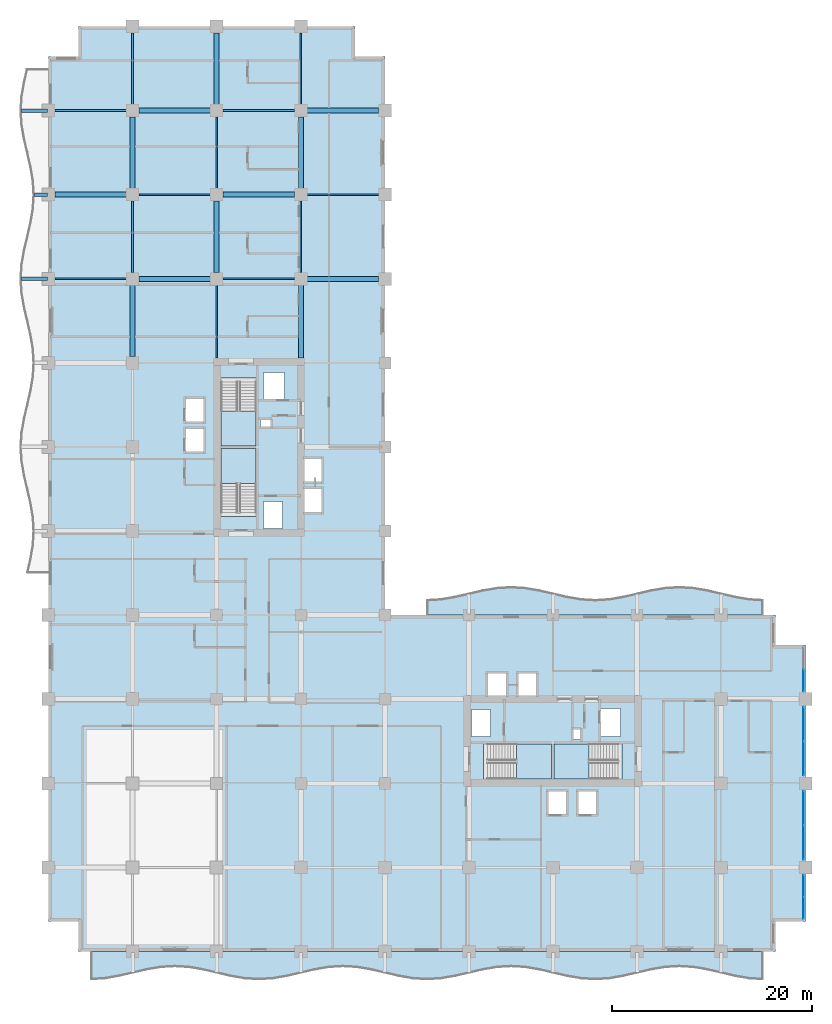
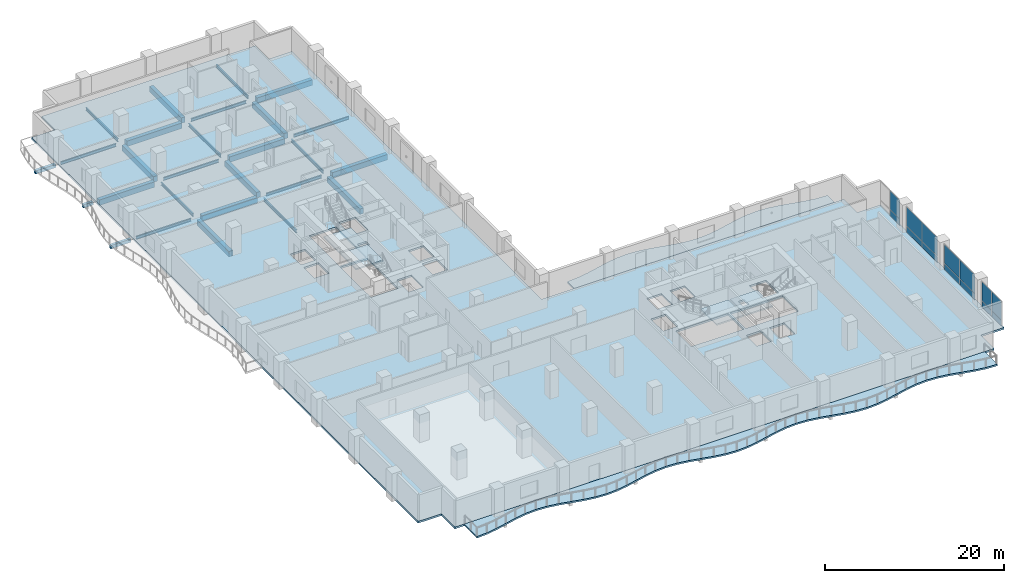
# One storey, part 7 of 24: 27 beams, 14 plates, 7 slabs, 8 elements without a shape of their own.
"""IFC4 building model written with IfcOpenShell, lengths in metres."""

from ifc_helpers import new_model, si_unit, direction, frame, origin, origin_2d, place, context, subcontext, project, spatial, polyline, rectangle, i_section, outline, extrude, material, layer, layer_set, material_profile, profile_set, type_object, element, aggregate, save


model = new_model("IFC4")

# Units and contexts
model_context = context("Model", 3, precision=1e-05, world=origin(), true_north=direction((0.0, 1.0)))
body_context = subcontext(model_context, "Body", "Model", "MODEL_VIEW")
ifc_project = project(units=[si_unit("LENGTHUNIT", "METRE"), si_unit("AREAUNIT", "SQUARE_METRE"), si_unit("VOLUMEUNIT", "CUBIC_METRE"), si_unit("PLANEANGLEUNIT", "RADIAN"), si_unit("MASSUNIT", "GRAM", prefix="KILO")], contexts=[model_context])

# Site, building, storey
site_placement = place(None, origin())
site = spatial("IfcSite", under=ifc_project, at=site_placement, CompositionType="ELEMENT")
building_placement = place(site_placement, origin())
building = spatial("IfcBuilding", under=site, at=building_placement, Name="Koriwani Terraces Tower", CompositionType="ELEMENT")
storey_placement = place(building_placement, frame((0.0, 0.0, 149.39990234375)))
storey = spatial("IfcBuildingStorey", under=building, at=storey_placement, Name="L36", CompositionType="ELEMENT", Elevation=149.39990234375)

# Beams
ifc_material_1 = material(Name="Concrete C40/50", Category="concrete")
ifc_material_profile_1 = material_profile(ifc_material_1, rectangle(XDim=0.35009765625, YDim=0.449951171875, at=origin_2d()), Name="Concrete C40/50", Category="LoadBearing")
ifc_profile_set_1 = profile_set([ifc_material_profile_1], Name="Concrete C40/50")
beam_type_1 = type_object("IfcBeamType", Name="BEAM_RC_BALCONY_RIB_350X450", PredefinedType="JOIST", material=ifc_profile_set_1)
beam_1_placement = place(storey_placement, frame((-2.699951171875, 67.199951171875, -0.474853515625), z_axis=(1.0, 0.0, 0.0), x_axis=(0.0, 1.0, 0.0)))
element("IfcBeam", 1, at=beam_1_placement, inside=storey, type_object=beam_type_1, Name="L36 Balcony Bracket Rib W-4", PredefinedType="JOIST", context=body_context, shape_type="SweptSolid", body=[
    extrude(rectangle(XDim=0.35009765625, YDim=0.449951171875, at=origin_2d()), origin(), (0.0, 0.0, 1.0), 2.599853515625),
])
beam_2_placement = place(storey_placement, frame((-1.39990234375, 75.60009765625, -0.474853515625), z_axis=(1.0, 0.0, 0.0), x_axis=(0.0, 1.0, 0.0)))
element("IfcBeam", 2, at=beam_2_placement, inside=storey, type_object=beam_type_1, Name="L36 Balcony Bracket Rib W-5", PredefinedType="JOIST", context=body_context, shape_type="SweptSolid", body=[
    extrude(rectangle(XDim=0.35009765625, YDim=0.449951171875, at=origin_2d()), origin(), (0.0, 0.0, 1.0), 1.2998046875),
])
beam_3_placement = place(storey_placement, frame((-2.699951171875, 84.0, -0.474853515625), z_axis=(1.0, 0.0, 0.0), x_axis=(0.0, 1.0, 0.0)))
element("IfcBeam", 3, at=beam_3_placement, inside=storey, type_object=beam_type_1, Name="L36 Balcony Bracket Rib W-6", PredefinedType="JOIST", context=body_context, shape_type="SweptSolid", body=[
    extrude(rectangle(XDim=0.35009765625, YDim=0.449951171875, at=origin_2d()), origin(), (0.0, 0.0, 1.0), 2.599853515625),
])
ifc_material_2 = material(Name="Concrete C50/60", Category="concrete")
ifc_material_profile_2 = material_profile(ifc_material_2, rectangle(XDim=0.5, YDim=0.75, at=origin_2d()), Name="Concrete C50/60", Category="LoadBearing")
ifc_profile_set_2 = profile_set([ifc_material_profile_2], Name="Concrete C50/60")
beam_type_2 = type_object("IfcBeamType", Name="BEAM_RC_GRID_500X750", PredefinedType="BEAM", material=ifc_profile_set_2)
for number, where, z_axis, x_axis, name in (
    (4, (9.030029296875, 67.199951171875, -0.625), (1.0, 0.0, 0.0), (0.0, 1.0, 0.0), "L36 Grid Beam I (8.4-16.8m)"),
    (5, (25.830078125, 67.199951171875, -0.625), (1.0, 0.0, 0.0), (0.0, 1.0, 0.0), "L36 Grid Beam I (25.2-33.6m)"),
):
    element("IfcBeam", number, at=place(storey_placement, frame(where, z_axis=z_axis, x_axis=x_axis)), inside=storey, type_object=beam_type_2, Name=name, PredefinedType="BEAM", context=body_context, shape_type="SweptSolid", body=[
        extrude(rectangle(XDim=0.5, YDim=0.75, at=origin_2d()), origin(), (0.0, 0.0, 1.0), 7.139892578125),
    ])
for number, where, z_axis, x_axis, name in (
    (6, (0.6298828125, 75.60009765625, -0.625), (1.0, 0.0, 0.0), (0.0, 1.0, 0.0), "L36 Grid Beam J (0.0-8.4m)"),
    (7, (17.429931640625, 75.60009765625, -0.625), (1.0, 0.0, 0.0), (0.0, 1.0, 0.0), "L36 Grid Beam J (16.8-25.2m)"),
):
    element("IfcBeam", number, at=place(storey_placement, frame(where, z_axis=z_axis, x_axis=x_axis)), inside=storey, type_object=beam_type_2, Name=name, PredefinedType="BEAM", context=body_context, shape_type="SweptSolid", body=[
        extrude(rectangle(XDim=0.5, YDim=0.75, at=origin_2d()), origin(), (0.0, 0.0, 1.0), 7.14013671875),
    ])
for number, where, z_axis, x_axis, name in (
    (8, (9.030029296875, 84.0, -0.625), (1.0, 0.0, 0.0), (0.0, 1.0, 0.0), "L36 Grid Beam K (8.4-16.8m)"),
    (9, (25.830078125, 84.0, -0.625), (1.0, 0.0, 0.0), (0.0, 1.0, 0.0), "L36 Grid Beam K (25.2-33.6m)"),
):
    element("IfcBeam", number, at=place(storey_placement, frame(where, z_axis=z_axis, x_axis=x_axis)), inside=storey, type_object=beam_type_2, Name=name, PredefinedType="BEAM", context=body_context, shape_type="SweptSolid", body=[
        extrude(rectangle(XDim=0.5, YDim=0.75, at=origin_2d()), origin(), (0.0, 0.0, 1.0), 7.139892578125),
    ])
for number, where, z_axis, x_axis, name in (
    (10, (8.39990234375, 59.429931640625, -0.625), (0.0, 1.0, 0.0), (-1.0, 0.0, 0.0), "L36 Grid Beam 2 (58.8-67.2m)"),
    (11, (8.39990234375, 76.22998046875, -0.625), (0.0, 1.0, 0.0), (-1.0, 0.0, 0.0), "L36 Grid Beam 2 (75.6-84.0m)"),
):
    element("IfcBeam", number, at=place(storey_placement, frame(where, z_axis=z_axis, x_axis=x_axis)), inside=storey, type_object=beam_type_2, Name=name, PredefinedType="BEAM", context=body_context, shape_type="SweptSolid", body=[
        extrude(rectangle(XDim=0.5, YDim=0.75, at=origin_2d()), origin(), (0.0, 0.0, 1.0), 7.14013671875),
    ])
beam_4_placement = place(storey_placement, frame((16.800048828125, 67.830078125, -0.625), z_axis=(0.0, 1.0, 0.0), x_axis=(-1.0, 0.0, 0.0)))
element("IfcBeam", 12, at=beam_4_placement, inside=storey, type_object=beam_type_2, Name="L36 Grid Beam 3 (67.2-75.6m)", PredefinedType="BEAM", context=body_context, shape_type="SweptSolid", body=[
    extrude(rectangle(XDim=0.5, YDim=0.75, at=origin_2d()), origin(), (0.0, 0.0, 1.0), 7.139892578125),
])
beam_5_placement = place(storey_placement, frame((16.800048828125, 84.6298828125, -0.625), z_axis=(0.0, 1.0, 0.0), x_axis=(-1.0, 0.0, 0.0)))
element("IfcBeam", 13, at=beam_5_placement, inside=storey, type_object=beam_type_2, Name="L36 Grid Beam 3 (84.0-92.4m)", PredefinedType="BEAM", context=body_context, shape_type="SweptSolid", body=[
    extrude(rectangle(XDim=0.5, YDim=0.75, at=origin_2d()), origin(), (0.0, 0.0, 1.0), 7.14013671875),
])
beam_6_placement = place(storey_placement, frame((25.199951171875, 59.280029296875, -0.625), z_axis=(0.0, 1.0, 0.0), x_axis=(-1.0, 0.0, 0.0)))
element("IfcBeam", 14, at=beam_6_placement, inside=storey, type_object=beam_type_2, Name="L36 Grid Beam 4 (58.8-67.2m)", PredefinedType="BEAM", context=body_context, shape_type="SweptSolid", body=[
    extrude(rectangle(XDim=0.5, YDim=0.75, at=origin_2d()), origin(), (0.0, 0.0, 1.0), 7.2900390625),
])
beam_7_placement = place(storey_placement, frame((25.199951171875, 76.22998046875, -0.625), z_axis=(0.0, 1.0, 0.0), x_axis=(-1.0, 0.0, 0.0)))
element("IfcBeam", 15, at=beam_7_placement, inside=storey, type_object=beam_type_2, Name="L36 Grid Beam 4 (75.6-84.0m)", PredefinedType="BEAM", context=body_context, shape_type="SweptSolid", body=[
    extrude(rectangle(XDim=0.5, YDim=0.75, at=origin_2d()), origin(), (0.0, 0.0, 1.0), 7.14013671875),
])
ifc_material_3 = material(Name="Steel ASTM A572 Grade 50", Category="steel")
ifc_material_profile_3 = material_profile(ifc_material_3, i_section(OverallWidth=0.180908203125, OverallDepth=0.4169921875, WebThickness=0.010986328125, FlangeThickness=0.018310546875, at=origin_2d()), Name="Steel ASTM A572 Grade 50", Category="LoadBearing")
ifc_profile_set_3 = profile_set([ifc_material_profile_3], Name="Steel ASTM A572 Grade 50")
beam_type_3 = type_object("IfcBeamType", Name="STEEL_BEAM_W410X85", PredefinedType="JOIST", material=ifc_profile_set_3)
for number, where, z_axis, x_axis, name in (
    (16, (0.6298828125, 67.199951171875, -0.45849609375), (1.0, 0.0, 0.0), (0.0, 1.0, 0.0), "L36 Grid Beam I (0.0-8.4m)"),
    (17, (17.429931640625, 67.199951171875, -0.45849609375), (1.0, 0.0, 0.0), (0.0, 1.0, 0.0), "L36 Grid Beam I (16.8-25.2m)"),
):
    element("IfcBeam", number, at=place(storey_placement, frame(where, z_axis=z_axis, x_axis=x_axis)), inside=storey, type_object=beam_type_3, Name=name, PredefinedType="JOIST", context=body_context, shape_type="SweptSolid", body=[
        extrude(i_section(OverallWidth=0.180908203125, OverallDepth=0.4169921875, WebThickness=0.010986328125, FlangeThickness=0.018310546875, at=origin_2d()), origin(), (0.0, 0.0, 1.0), 7.14013671875),
    ])
for number, where, z_axis, x_axis, name in (
    (18, (9.030029296875, 75.60009765625, -0.45849609375), (1.0, 0.0, 0.0), (0.0, 1.0, 0.0), "L36 Grid Beam J (8.4-16.8m)"),
    (19, (25.830078125, 75.60009765625, -0.45849609375), (1.0, 0.0, 0.0), (0.0, 1.0, 0.0), "L36 Grid Beam J (25.2-33.6m)"),
):
    element("IfcBeam", number, at=place(storey_placement, frame(where, z_axis=z_axis, x_axis=x_axis)), inside=storey, type_object=beam_type_3, Name=name, PredefinedType="JOIST", context=body_context, shape_type="SweptSolid", body=[
        extrude(i_section(OverallWidth=0.180908203125, OverallDepth=0.4169921875, WebThickness=0.010986328125, FlangeThickness=0.018310546875, at=origin_2d()), origin(), (0.0, 0.0, 1.0), 7.139892578125),
    ])
for number, where, z_axis, x_axis, name in (
    (20, (0.6298828125, 84.0, -0.45849609375), (1.0, 0.0, 0.0), (0.0, 1.0, 0.0), "L36 Grid Beam K (0.0-8.4m)"),
    (21, (17.429931640625, 84.0, -0.45849609375), (1.0, 0.0, 0.0), (0.0, 1.0, 0.0), "L36 Grid Beam K (16.8-25.2m)"),
):
    element("IfcBeam", number, at=place(storey_placement, frame(where, z_axis=z_axis, x_axis=x_axis)), inside=storey, type_object=beam_type_3, Name=name, PredefinedType="JOIST", context=body_context, shape_type="SweptSolid", body=[
        extrude(i_section(OverallWidth=0.180908203125, OverallDepth=0.4169921875, WebThickness=0.010986328125, FlangeThickness=0.018310546875, at=origin_2d()), origin(), (0.0, 0.0, 1.0), 7.14013671875),
    ])
beam_8_placement = place(storey_placement, frame((8.39990234375, 67.830078125, -0.45849609375), z_axis=(0.0, 1.0, 0.0), x_axis=(-1.0, 0.0, 0.0)))
element("IfcBeam", 22, at=beam_8_placement, inside=storey, type_object=beam_type_3, Name="L36 Grid Beam 2 (67.2-75.6m)", PredefinedType="JOIST", context=body_context, shape_type="SweptSolid", body=[
    extrude(i_section(OverallWidth=0.180908203125, OverallDepth=0.4169921875, WebThickness=0.010986328125, FlangeThickness=0.018310546875, at=origin_2d()), origin(), (0.0, 0.0, 1.0), 7.139892578125),
])
beam_9_placement = place(storey_placement, frame((8.39990234375, 84.6298828125, -0.45849609375), z_axis=(0.0, 1.0, 0.0), x_axis=(-1.0, 0.0, 0.0)))
element("IfcBeam", 23, at=beam_9_placement, inside=storey, type_object=beam_type_3, Name="L36 Grid Beam 2 (84.0-92.4m)", PredefinedType="JOIST", context=body_context, shape_type="SweptSolid", body=[
    extrude(i_section(OverallWidth=0.180908203125, OverallDepth=0.4169921875, WebThickness=0.010986328125, FlangeThickness=0.018310546875, at=origin_2d()), origin(), (0.0, 0.0, 1.0), 7.14013671875),
])
beam_10_placement = place(storey_placement, frame((16.800048828125, 59.280029296875, -0.45849609375), z_axis=(0.0, 1.0, 0.0), x_axis=(-1.0, 0.0, 0.0)))
element("IfcBeam", 24, at=beam_10_placement, inside=storey, type_object=beam_type_3, Name="L36 Grid Beam 3 (58.8-67.2m)", PredefinedType="JOIST", context=body_context, shape_type="SweptSolid", body=[
    extrude(i_section(OverallWidth=0.180908203125, OverallDepth=0.4169921875, WebThickness=0.010986328125, FlangeThickness=0.018310546875, at=origin_2d()), origin(), (0.0, 0.0, 1.0), 7.2900390625),
])
beam_11_placement = place(storey_placement, frame((16.800048828125, 76.22998046875, -0.45849609375), z_axis=(0.0, 1.0, 0.0), x_axis=(-1.0, 0.0, 0.0)))
element("IfcBeam", 25, at=beam_11_placement, inside=storey, type_object=beam_type_3, Name="L36 Grid Beam 3 (75.6-84.0m)", PredefinedType="JOIST", context=body_context, shape_type="SweptSolid", body=[
    extrude(i_section(OverallWidth=0.180908203125, OverallDepth=0.4169921875, WebThickness=0.010986328125, FlangeThickness=0.018310546875, at=origin_2d()), origin(), (0.0, 0.0, 1.0), 7.14013671875),
])
beam_12_placement = place(storey_placement, frame((25.199951171875, 67.830078125, -0.45849609375), z_axis=(0.0, 1.0, 0.0), x_axis=(-1.0, 0.0, 0.0)))
element("IfcBeam", 26, at=beam_12_placement, inside=storey, type_object=beam_type_3, Name="L36 Grid Beam 4 (67.2-75.6m)", PredefinedType="JOIST", context=body_context, shape_type="SweptSolid", body=[
    extrude(i_section(OverallWidth=0.180908203125, OverallDepth=0.4169921875, WebThickness=0.010986328125, FlangeThickness=0.018310546875, at=origin_2d()), origin(), (0.0, 0.0, 1.0), 7.139892578125),
])
beam_13_placement = place(storey_placement, frame((25.199951171875, 84.6298828125, -0.45849609375), z_axis=(0.0, 1.0, 0.0), x_axis=(-1.0, 0.0, 0.0)))
element("IfcBeam", 27, at=beam_13_placement, inside=storey, type_object=beam_type_3, Name="L36 Grid Beam 4 (84.0-92.4m)", PredefinedType="JOIST", context=body_context, shape_type="SweptSolid", body=[
    extrude(i_section(OverallWidth=0.180908203125, OverallDepth=0.4169921875, WebThickness=0.010986328125, FlangeThickness=0.018310546875, at=origin_2d()), origin(), (0.0, 0.0, 1.0), 7.14013671875),
])

# Curtain wall, plates
ifc_material_4 = material(Name="Anodised Bronze Aluminium", Category="aluminium")
ifc_layer_1 = layer(ifc_material_4, 0.179931640625, Name="Anodised Bronze Aluminium")
ifc_layer_set_1 = layer_set([ifc_layer_1], Name="Anodised Bronze Aluminium")
curtain_wall_type = type_object("IfcCurtainWallType", Name="CW_HOTEL_ZONE2", PredefinedType="NOTDEFINED", material=ifc_layer_set_1)
curtain_wall_1_placement = place(storey_placement, origin())
curtain_wall_1 = element("IfcCurtainWall", 28, at=curtain_wall_1_placement, inside=storey, type_object=curtain_wall_type, Name="L36 Unitised Curtain Wall (E_TIP) Bay 1", PredefinedType="NOTDEFINED")
ifc_material_5 = material(Name="Tempered Laminated Low-E Glass", Category="glass")
ifc_layer_2 = layer(ifc_material_5, 0.028076171875, Name="Tempered Laminated Low-E Glass")
ifc_layer_set_2 = layer_set([ifc_layer_2], Name="Tempered Laminated Low-E Glass")
plate_type = type_object("IfcPlateType", Name="CW_PANEL_VISION_28", PredefinedType="CURTAIN_PANEL", material=ifc_layer_set_2)
plate_1_placement = place(storey_placement, frame((75.425048828125, 27.0576171875, 0.06494140625), z_axis=(0.0, 0.0, 1.0), x_axis=(0.0, -1.0, 0.0)))
plate_1 = element("IfcPlate", 29, at=plate_1_placement, type_object=plate_type, Name="CW-Z2 panel 2.1", PredefinedType="CURTAIN_PANEL", context=body_context, shape_type="SweptSolid", body=[
    extrude(rectangle(XDim=2.14501953125, YDim=0.028076171875, at=origin_2d()), origin(), (0.0, 0.0, 1.0), 0.802490234375),
])
plate_2_placement = place(storey_placement, frame((75.425048828125, 27.0576171875, 0.9326171875), z_axis=(0.0, 0.0, 1.0), x_axis=(0.0, -1.0, 0.0)))
plate_2 = element("IfcPlate", 30, at=plate_2_placement, type_object=plate_type, Name="CW-Z2 panel 2.2", PredefinedType="CURTAIN_PANEL", context=body_context, shape_type="SweptSolid", body=[
    extrude(rectangle(XDim=2.14501953125, YDim=0.028076171875, at=origin_2d()), origin(), (0.0, 0.0, 1.0), 2.552490234375),
])
aggregate(curtain_wall_1, [plate_1, plate_2])

curtain_wall_2_placement = place(storey_placement, origin())
curtain_wall_2 = element("IfcCurtainWall", 31, at=curtain_wall_2_placement, inside=storey, type_object=curtain_wall_type, Name="L36 Unitised Curtain Wall (E_TIP) Bay 2", PredefinedType="NOTDEFINED")
plate_3_placement = place(storey_placement, frame((75.425048828125, 22.726318359375, 0.06494140625), z_axis=(0.0, 0.0, 1.0), x_axis=(0.0, -1.0, 0.0)))
plate_3 = element("IfcPlate", 32, at=plate_3_placement, type_object=plate_type, Name="CW-Z2 panel 1.1", PredefinedType="CURTAIN_PANEL", context=body_context, shape_type="SweptSolid", body=[
    extrude(rectangle(XDim=3.37744140625, YDim=0.028076171875, at=origin_2d()), origin(), (0.0, 0.0, 1.0), 0.802490234375),
])
plate_4_placement = place(storey_placement, frame((75.425048828125, 22.726318359375, 0.9326171875), z_axis=(0.0, 0.0, 1.0), x_axis=(0.0, -1.0, 0.0)))
plate_4 = element("IfcPlate", 33, at=plate_4_placement, type_object=plate_type, Name="CW-Z2 panel 1.2", PredefinedType="CURTAIN_PANEL", context=body_context, shape_type="SweptSolid", body=[
    extrude(rectangle(XDim=3.37744140625, YDim=0.028076171875, at=origin_2d()), origin(), (0.0, 0.0, 1.0), 2.552490234375),
])
plate_5_placement = place(storey_placement, frame((75.425048828125, 19.273681640625, 0.06494140625), z_axis=(0.0, 0.0, 1.0), x_axis=(0.0, -1.0, 0.0)))
plate_5 = element("IfcPlate", 34, at=plate_5_placement, type_object=plate_type, Name="CW-Z2 panel 2.1", PredefinedType="CURTAIN_PANEL", context=body_context, shape_type="SweptSolid", body=[
    extrude(rectangle(XDim=3.37744140625, YDim=0.028076171875, at=origin_2d()), origin(), (0.0, 0.0, 1.0), 0.802490234375),
])
plate_6_placement = place(storey_placement, frame((75.425048828125, 19.273681640625, 0.9326171875), z_axis=(0.0, 0.0, 1.0), x_axis=(0.0, -1.0, 0.0)))
plate_6 = element("IfcPlate", 35, at=plate_6_placement, type_object=plate_type, Name="CW-Z2 panel 2.2", PredefinedType="CURTAIN_PANEL", context=body_context, shape_type="SweptSolid", body=[
    extrude(rectangle(XDim=3.37744140625, YDim=0.028076171875, at=origin_2d()), origin(), (0.0, 0.0, 1.0), 2.552490234375),
])
aggregate(curtain_wall_2, [plate_3, plate_4, plate_5, plate_6])

curtain_wall_3_placement = place(storey_placement, origin())
curtain_wall_3 = element("IfcCurtainWall", 36, at=curtain_wall_3_placement, inside=storey, type_object=curtain_wall_type, Name="L36 Unitised Curtain Wall (E_TIP) Bay 3", PredefinedType="NOTDEFINED")
plate_7_placement = place(storey_placement, frame((75.425048828125, 14.326171875, 0.06494140625), z_axis=(0.0, 0.0, 1.0), x_axis=(0.0, -1.0, 0.0)))
plate_7 = element("IfcPlate", 37, at=plate_7_placement, type_object=plate_type, Name="CW-Z2 panel 1.1", PredefinedType="CURTAIN_PANEL", context=body_context, shape_type="SweptSolid", body=[
    extrude(rectangle(XDim=3.37744140625, YDim=0.028076171875, at=origin_2d()), origin(), (0.0, 0.0, 1.0), 0.802490234375),
])
plate_8_placement = place(storey_placement, frame((75.425048828125, 14.326171875, 0.9326171875), z_axis=(0.0, 0.0, 1.0), x_axis=(0.0, -1.0, 0.0)))
plate_8 = element("IfcPlate", 38, at=plate_8_placement, type_object=plate_type, Name="CW-Z2 panel 1.2", PredefinedType="CURTAIN_PANEL", context=body_context, shape_type="SweptSolid", body=[
    extrude(rectangle(XDim=3.37744140625, YDim=0.028076171875, at=origin_2d()), origin(), (0.0, 0.0, 1.0), 2.552490234375),
])
plate_9_placement = place(storey_placement, frame((75.425048828125, 10.873779296875, 0.06494140625), z_axis=(0.0, 0.0, 1.0), x_axis=(0.0, -1.0, 0.0)))
plate_9 = element("IfcPlate", 39, at=plate_9_placement, type_object=plate_type, Name="CW-Z2 panel 2.1", PredefinedType="CURTAIN_PANEL", context=body_context, shape_type="SweptSolid", body=[
    extrude(rectangle(XDim=3.37744140625, YDim=0.028076171875, at=origin_2d()), origin(), (0.0, 0.0, 1.0), 0.802490234375),
])
plate_10_placement = place(storey_placement, frame((75.425048828125, 10.873779296875, 0.9326171875), z_axis=(0.0, 0.0, 1.0), x_axis=(0.0, -1.0, 0.0)))
plate_10 = element("IfcPlate", 40, at=plate_10_placement, type_object=plate_type, Name="CW-Z2 panel 2.2", PredefinedType="CURTAIN_PANEL", context=body_context, shape_type="SweptSolid", body=[
    extrude(rectangle(XDim=3.37744140625, YDim=0.028076171875, at=origin_2d()), origin(), (0.0, 0.0, 1.0), 2.552490234375),
])
aggregate(curtain_wall_3, [plate_7, plate_8, plate_9, plate_10])

curtain_wall_4_placement = place(storey_placement, origin())
curtain_wall_4 = element("IfcCurtainWall", 41, at=curtain_wall_4_placement, inside=storey, type_object=curtain_wall_type, Name="L36 Unitised Curtain Wall (E_TIP) Bay 4", PredefinedType="NOTDEFINED")
plate_11_placement = place(storey_placement, frame((75.425048828125, 6.54248046875, 0.06494140625), z_axis=(0.0, 0.0, 1.0), x_axis=(0.0, -1.0, 0.0)))
plate_11 = element("IfcPlate", 42, at=plate_11_placement, type_object=plate_type, Name="CW-Z2 panel 1.1", PredefinedType="CURTAIN_PANEL", context=body_context, shape_type="SweptSolid", body=[
    extrude(rectangle(XDim=2.14501953125, YDim=0.028076171875, at=origin_2d()), origin(), (0.0, 0.0, 1.0), 0.802490234375),
])
plate_12_placement = place(storey_placement, frame((75.425048828125, 6.54248046875, 0.9326171875), z_axis=(0.0, 0.0, 1.0), x_axis=(0.0, -1.0, 0.0)))
plate_12 = element("IfcPlate", 43, at=plate_12_placement, type_object=plate_type, Name="CW-Z2 panel 1.2", PredefinedType="CURTAIN_PANEL", context=body_context, shape_type="SweptSolid", body=[
    extrude(rectangle(XDim=2.14501953125, YDim=0.028076171875, at=origin_2d()), origin(), (0.0, 0.0, 1.0), 2.552490234375),
])
plate_13_placement = place(storey_placement, frame((75.425048828125, 4.322509765625, 0.06494140625), z_axis=(0.0, 0.0, 1.0), x_axis=(0.0, -1.0, 0.0)))
plate_13 = element("IfcPlate", 44, at=plate_13_placement, type_object=plate_type, Name="CW-Z2 panel 2.1", PredefinedType="CURTAIN_PANEL", context=body_context, shape_type="SweptSolid", body=[
    extrude(rectangle(XDim=2.14501953125, YDim=0.028076171875, at=origin_2d()), origin(), (0.0, 0.0, 1.0), 0.802490234375),
])
plate_14_placement = place(storey_placement, frame((75.425048828125, 4.322509765625, 0.9326171875), z_axis=(0.0, 0.0, 1.0), x_axis=(0.0, -1.0, 0.0)))
plate_14 = element("IfcPlate", 45, at=plate_14_placement, type_object=plate_type, Name="CW-Z2 panel 2.2", PredefinedType="CURTAIN_PANEL", context=body_context, shape_type="SweptSolid", body=[
    extrude(rectangle(XDim=2.14501953125, YDim=0.028076171875, at=origin_2d()), origin(), (0.0, 0.0, 1.0), 2.552490234375),
])
aggregate(curtain_wall_4, [plate_11, plate_12, plate_13, plate_14])

# Slabs
ifc_layer_3 = layer(ifc_material_1, 0.219970703125, Name="Concrete C40/50")
ifc_layer_set_3 = layer_set([ifc_layer_3], Name="Concrete C40/50")
slab_type_1 = type_object("IfcSlabType", Name="SLAB_BALCONY_220", PredefinedType="FLOOR", material=ifc_layer_set_3)
slab_1_placement = place(storey_placement, frame((0.0, 0.0, -0.219970703125)))
element("IfcSlab", 46, at=slab_1_placement, inside=storey, type_object=slab_type_1, Name="L36 Quilted Circular-Arc Balcony (S)", PredefinedType="FLOOR", context=body_context, shape_type="SweptSolid", body=[
    extrude(outline(polyline([(4.199951171875, 0.0), (5.60009765625, 0.0), (7.0, 0.0), (8.39990234375, 0.0), (9.800048828125, 0.0), (11.199951171875, 0.0), (12.60009765625, 0.0), (14.0, 0.0), (15.39990234375, 0.0), (16.800048828125, 0.0), (18.199951171875, 0.0), (19.60009765625, 0.0), (21.0, 0.0), (22.39990234375, 0.0), (23.800048828125, 0.0), (25.199951171875, 0.0), (26.60009765625, 0.0), (28.0, 0.0), (29.39990234375, 0.0), (30.800048828125, 0.0), (32.199951171875, 0.0), (33.60009765625, 0.0), (35.0, 0.0), (36.39990234375, 0.0), (37.800048828125, 0.0), (39.199951171875, 0.0), (40.60009765625, 0.0), (42.0, 0.0), (43.39990234375, 0.0), (44.800048828125, 0.0), (46.199951171875, 0.0), (47.60009765625, 0.0), (49.0, 0.0), (50.39990234375, 0.0), (51.800048828125, 0.0), (53.199951171875, 0.0), (54.60009765625, 0.0), (56.0, 0.0), (57.39990234375, 0.0), (58.800048828125, 0.0), (60.199951171875, 0.0), (61.60009765625, 0.0), (63.0, 0.0), (64.39990234375, 0.0), (65.800048828125, 0.0), (67.199951171875, 0.0), (68.60009765625, 0.0), (70.0, 0.0), (71.39990234375, 0.0), (71.39990234375, -2.85009765625), (70.0, -2.762939453125), (68.60009765625, -2.52490234375), (67.199951171875, -2.199951171875), (65.800048828125, -1.875), (64.39990234375, -1.63720703125), (63.0, -1.550048828125), (61.60009765625, -1.63720703125), (60.199951171875, -1.875), (58.800048828125, -2.199951171875), (57.39990234375, -2.52490234375), (56.0, -2.762939453125), (54.60009765625, -2.85009765625), (53.199951171875, -2.762939453125), (51.800048828125, -2.52490234375), (50.39990234375, -2.199951171875), (49.0, -1.875), (47.60009765625, -1.63720703125), (46.199951171875, -1.550048828125), (44.800048828125, -1.63720703125), (43.39990234375, -1.875), (42.0, -2.199951171875), (40.60009765625, -2.52490234375), (39.199951171875, -2.762939453125), (37.800048828125, -2.85009765625), (36.39990234375, -2.762939453125), (35.0, -2.52490234375), (33.60009765625, -2.199951171875), (32.199951171875, -1.875), (30.800048828125, -1.63720703125), (29.39990234375, -1.550048828125), (28.0, -1.63720703125), (26.60009765625, -1.875), (25.199951171875, -2.199951171875), (23.800048828125, -2.52490234375), (22.39990234375, -2.762939453125), (21.0, -2.85009765625), (19.60009765625, -2.762939453125), (18.199951171875, -2.52490234375), (16.800048828125, -2.199951171875), (15.39990234375, -1.875), (14.0, -1.63720703125), (12.60009765625, -1.550048828125), (11.199951171875, -1.63720703125), (9.800048828125, -1.875), (8.39990234375, -2.199951171875), (7.0, -2.52490234375), (5.60009765625, -2.762939453125), (4.199951171875, -2.85009765625), (4.199951171875, 0.0)])), origin(), (0.0, 0.0, 1.0), 0.219970703125),
])
slab_2_placement = place(storey_placement, frame((0.0, 0.0, -0.219970703125)))
element("IfcSlab", 47, at=slab_2_placement, inside=storey, type_object=slab_type_1, Name="L36 Quilted Circular-Arc Balcony (NE)", PredefinedType="FLOOR", context=body_context, shape_type="SweptSolid", body=[
    extrude(outline(polyline([(71.39990234375, 33.60009765625), (70.0, 33.60009765625), (68.60009765625, 33.60009765625), (67.199951171875, 33.60009765625), (65.800048828125, 33.60009765625), (64.39990234375, 33.60009765625), (63.0, 33.60009765625), (61.60009765625, 33.60009765625), (60.199951171875, 33.60009765625), (58.800048828125, 33.60009765625), (57.39990234375, 33.60009765625), (56.0, 33.60009765625), (54.60009765625, 33.60009765625), (53.199951171875, 33.60009765625), (51.800048828125, 33.60009765625), (50.39990234375, 33.60009765625), (49.0, 33.60009765625), (47.60009765625, 33.60009765625), (46.199951171875, 33.60009765625), (44.800048828125, 33.60009765625), (43.39990234375, 33.60009765625), (42.0, 33.60009765625), (40.60009765625, 33.60009765625), (39.199951171875, 33.60009765625), (37.800048828125, 33.60009765625), (37.800048828125, 35.14990234375), (39.199951171875, 35.237060546875), (40.60009765625, 35.47509765625), (42.0, 35.800048828125), (43.39990234375, 36.125), (44.800048828125, 36.36279296875), (46.199951171875, 36.449951171875), (47.60009765625, 36.36279296875), (49.0, 36.125), (50.39990234375, 35.800048828125), (51.800048828125, 35.47509765625), (53.199951171875, 35.237060546875), (54.60009765625, 35.14990234375), (56.0, 35.237060546875), (57.39990234375, 35.47509765625), (58.800048828125, 35.800048828125), (60.199951171875, 36.125), (61.60009765625, 36.36279296875), (63.0, 36.449951171875), (64.39990234375, 36.36279296875), (65.800048828125, 36.125), (67.199951171875, 35.800048828125), (68.60009765625, 35.47509765625), (70.0, 35.237060546875), (71.39990234375, 35.14990234375), (71.39990234375, 33.60009765625)])), origin(), (0.0, 0.0, 1.0), 0.219970703125),
])

# Stair, slab
stair_type = type_object("IfcStairType", Name="STAIR_CORE_DOGLEG_1650", PredefinedType="TWO_STRAIGHT_RUN_STAIR", material=ifc_material_1)
stair_1_placement = place(storey_placement, origin())
stair_1 = element("IfcStair", 48, at=stair_1_placement, inside=storey, type_object=stair_type, Name="L36 West Core Exit Stair 1", PredefinedType="HALF_TURN_STAIR")
ifc_layer_4 = layer(ifc_material_1, 0.199951171875, Name="Concrete C40/50")
ifc_layer_set_4 = layer_set([ifc_layer_4], Name="Concrete C40/50")
slab_type_2 = type_object("IfcSlabType", Name="SLAB_STAIR_LANDING_200", PredefinedType="LANDING", material=ifc_layer_set_4)
slab_3_placement = place(storey_placement, frame((0.0, 0.0, 1.7001953125)))
slab_3 = element("IfcSlab", 49, at=slab_3_placement, type_object=slab_type_2, Name="ST-W1 landing 1", PredefinedType="LANDING", context=body_context, shape_type="SweptSolid", body=[
    extrude(outline(polyline([(20.75, 46.75), (20.75, 50.25), (17.25, 50.25), (17.25, 46.75), (20.75, 46.75)])), origin(), (0.0, 0.0, 1.0), 0.199951171875),
])
aggregate(stair_1, [slab_3])

stair_2_placement = place(storey_placement, origin())
stair_2 = element("IfcStair", 50, at=stair_2_placement, inside=storey, type_object=stair_type, Name="L36 West Core Exit Stair 2", PredefinedType="HALF_TURN_STAIR")
slab_4_placement = place(storey_placement, frame((0.0, 0.0, 1.7001953125)))
slab_4 = element("IfcSlab", 51, at=slab_4_placement, type_object=slab_type_2, Name="ST-W2 landing 1", PredefinedType="LANDING", context=body_context, shape_type="SweptSolid", body=[
    extrude(outline(polyline([(17.25, 54.0), (17.25, 50.5), (20.75, 50.5), (20.75, 54.0), (17.25, 54.0)])), origin(), (0.0, 0.0, 1.0), 0.199951171875),
])
aggregate(stair_2, [slab_4])

stair_3_placement = place(storey_placement, origin())
stair_3 = element("IfcStair", 52, at=stair_3_placement, inside=storey, type_object=stair_type, Name="L36 East Core Exit Stair 1", PredefinedType="HALF_TURN_STAIR")
slab_5_placement = place(storey_placement, frame((0.0, 0.0, 1.7001953125)))
slab_5 = element("IfcSlab", 53, at=slab_5_placement, type_object=slab_type_2, Name="ST-E1 landing 1", PredefinedType="LANDING", context=body_context, shape_type="SweptSolid", body=[
    extrude(outline(polyline([(46.75, 17.25), (50.25, 17.25), (50.25, 20.75), (46.75, 20.75), (46.75, 17.25)])), origin(), (0.0, 0.0, 1.0), 0.199951171875),
])
aggregate(stair_3, [slab_5])

stair_4_placement = place(storey_placement, origin())
stair_4 = element("IfcStair", 54, at=stair_4_placement, inside=storey, type_object=stair_type, Name="L36 East Core Exit Stair 2", PredefinedType="HALF_TURN_STAIR")
slab_6_placement = place(storey_placement, frame((0.0, 0.0, 1.7001953125)))
slab_6 = element("IfcSlab", 55, at=slab_6_placement, type_object=slab_type_2, Name="ST-E2 landing 1", PredefinedType="LANDING", context=body_context, shape_type="SweptSolid", body=[
    extrude(outline(polyline([(54.0, 20.75), (50.5, 20.75), (50.5, 17.25), (54.0, 17.25), (54.0, 20.75)])), origin(), (0.0, 0.0, 1.0), 0.199951171875),
])
aggregate(stair_4, [slab_6])

# Slab
ifc_layer_5 = layer(ifc_material_1, 0.25, Name="Concrete C40/50")
ifc_layer_set_5 = layer_set([ifc_layer_5], Name="Concrete C40/50")
slab_type_3 = type_object("IfcSlabType", Name="SLAB_TOWER_TYP_250", PredefinedType="FLOOR", material=ifc_layer_set_5)
slab_7_placement = place(storey_placement, frame((0.0, 0.0, -0.25)))
element("IfcSlab", 56, at=slab_7_placement, inside=storey, type_object=slab_type_3, Name="L36 Structural Floor Slab", PredefinedType="FLOOR", context=body_context, shape_type="SweptSolid", body=[
    extrude(outline(polyline([(3.0, 0.0), (72.60009765625, 0.0), (72.60009765625, 3.0), (75.60009765625, 3.0), (75.60009765625, 30.60009765625), (72.60009765625, 30.60009765625), (72.60009765625, 33.60009765625), (33.60009765625, 33.60009765625), (33.60009765625, 89.39990234375), (30.60009765625, 89.39990234375), (30.60009765625, 92.39990234375), (3.0, 92.39990234375), (3.0, 89.39990234375), (0.0, 89.39990234375), (0.0, 3.0), (3.0, 3.0), (3.0, 0.0)]), holes=[polyline([(17.25, 43.4599609375), (20.75, 43.4599609375), (20.75, 50.25), (17.25, 50.25), (17.25, 43.4599609375)]), polyline([(17.25, 50.5), (20.75, 50.5), (20.75, 57.2900390625), (17.25, 57.2900390625), (17.25, 50.5)]), polyline([(43.4599609375, 17.25), (50.25, 17.25), (50.25, 20.75), (43.4599609375, 20.75), (43.4599609375, 17.25)]), polyline([(50.5, 17.25), (57.2900390625, 17.25), (57.2900390625, 20.75), (50.5, 20.75), (50.5, 17.25)]), polyline([(13.64990234375, 49.85009765625), (15.550048828125, 49.85009765625), (15.550048828125, 52.25), (13.64990234375, 52.25), (13.64990234375, 49.85009765625)]), polyline([(13.64990234375, 52.85009765625), (15.550048828125, 52.85009765625), (15.550048828125, 55.25), (13.64990234375, 55.25), (13.64990234375, 52.85009765625)]), polyline([(49.85009765625, 13.64990234375), (51.75, 13.64990234375), (51.75, 16.050048828125), (49.85009765625, 16.050048828125), (49.85009765625, 13.64990234375)]), polyline([(52.85009765625, 13.64990234375), (54.75, 13.64990234375), (54.75, 16.050048828125), (52.85009765625, 16.050048828125), (52.85009765625, 13.64990234375)]), polyline([(25.449951171875, 43.85009765625), (27.35009765625, 43.85009765625), (27.35009765625, 46.25), (25.449951171875, 46.25), (25.449951171875, 43.85009765625)]), polyline([(25.449951171875, 46.85009765625), (27.35009765625, 46.85009765625), (27.35009765625, 49.25), (25.449951171875, 49.25), (25.449951171875, 46.85009765625)]), polyline([(43.85009765625, 25.449951171875), (45.75, 25.449951171875), (45.75, 27.85009765625), (43.85009765625, 27.85009765625), (43.85009765625, 25.449951171875)]), polyline([(46.85009765625, 25.449951171875), (48.75, 25.449951171875), (48.75, 27.85009765625), (46.85009765625, 27.85009765625), (46.85009765625, 25.449951171875)]), polyline([(21.449951171875, 55.050048828125), (23.550048828125, 55.050048828125), (23.550048828125, 57.85009765625), (21.449951171875, 57.85009765625), (21.449951171875, 55.050048828125)]), polyline([(55.050048828125, 21.449951171875), (57.14990234375, 21.449951171875), (57.14990234375, 24.25), (55.050048828125, 24.25), (55.050048828125, 21.449951171875)]), polyline([(21.449951171875, 42.25), (23.35009765625, 42.25), (23.35009765625, 44.949951171875), (21.449951171875, 44.949951171875), (21.449951171875, 42.25)]), polyline([(42.25, 21.449951171875), (44.14990234375, 21.449951171875), (44.14990234375, 24.14990234375), (42.25, 24.14990234375), (42.25, 21.449951171875)]), polyline([(21.14990234375, 52.419921875), (22.219970703125, 52.419921875), (22.219970703125, 53.179931640625), (21.14990234375, 53.179931640625), (21.14990234375, 52.419921875)]), polyline([(52.419921875, 21.14990234375), (53.179931640625, 21.14990234375), (53.179931640625, 22.219970703125), (52.419921875, 22.219970703125), (52.419921875, 21.14990234375)])]), origin(), (0.0, 0.0, 1.0), 0.25),
])

save(model, "model.ifc")
